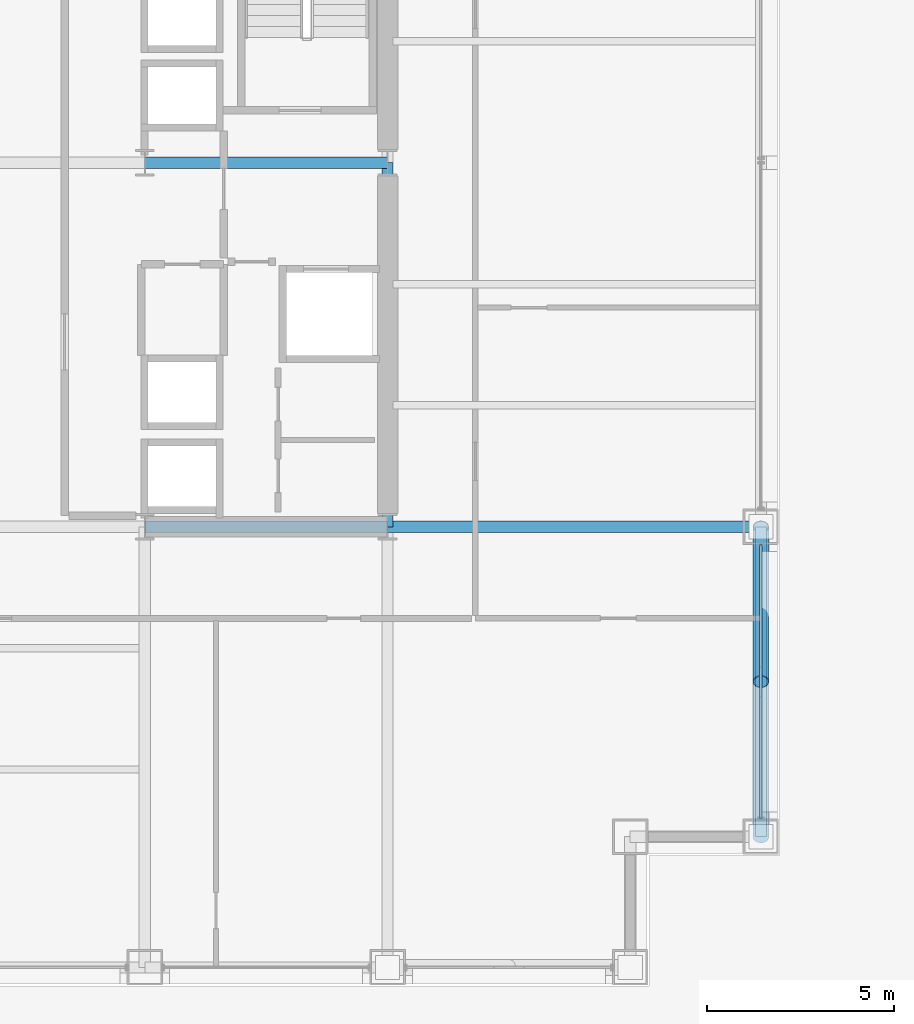
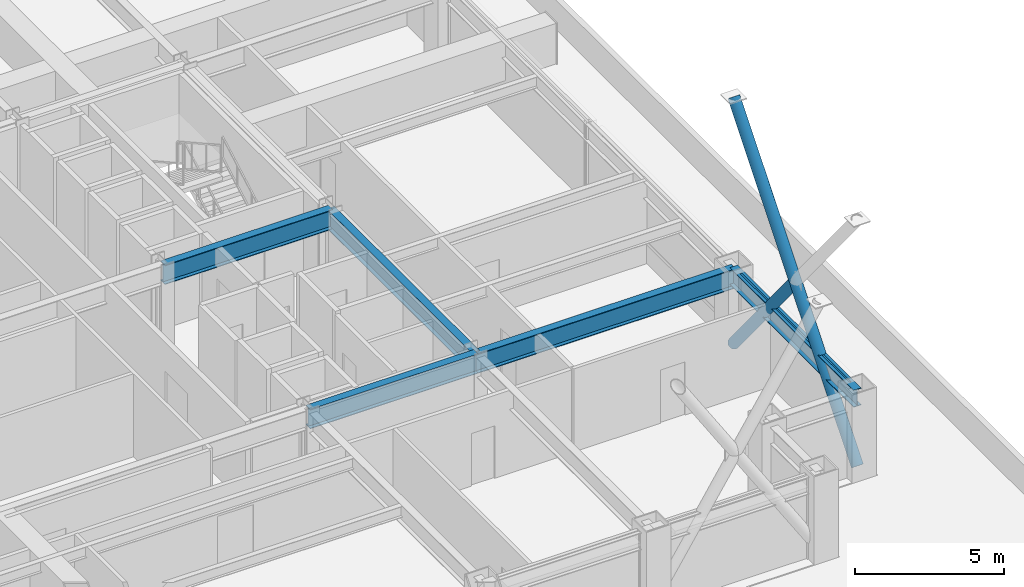
# One storey, part 13 of 33: 5 beams, 3 members, 1 element without a shape of its own.
"""IFC4 building model written with IfcOpenShell, lengths in metres."""

import ifcopenshell
import ifcopenshell.guid

model = None  # the IFC model being written
_history = None  # IfcOwnerHistory: only IFC2X3 demands one
_inside = {}  # id of a spatial element -> (the spatial element, [elements in it])
_under = {}  # id of a project, library or spatial element -> (it, [spatial elements below it])
_declared = {}  # id of a project -> (the project, [libraries it declares])
_typed = {}  # id of a type object -> (the type object, [elements of that type])
_made_of = {}  # id of a material, layer set ... -> (it, [elements and type objects made of it])


def new_model(schema):
    """Start an empty IFC model of exactly this schema.

    Asked for "IFC4X3", IfcOpenShell would pick the latest addendum, in which some entities
    have other attributes; the version numbers below select the first issue.
    IFC2X3 requires an IfcOwnerHistory on every rooted entity: one is made here for all.
    """
    global model, _history
    if schema == "IFC4X3":
        model = ifcopenshell.file(schema_version=(4, 3, 0, 0))
    else:
        model = ifcopenshell.file(schema=schema)
    _inside.clear()
    _under.clear()
    _declared.clear()
    _typed.clear()
    _made_of.clear()
    _history = None
    if model.schema == "IFC2X3":
        org = make("IfcOrganization", Name="unknown")
        user = make(
            "IfcPersonAndOrganization",
            ThePerson=make("IfcPerson", FamilyName="unknown"),
            TheOrganization=org,
        )
        app = make(
            "IfcApplication",
            ApplicationDeveloper=org,
            Version="unknown",
            ApplicationFullName="unknown",
            ApplicationIdentifier="unknown",
        )
        _history = make(
            "IfcOwnerHistory",
            OwningUser=user,
            OwningApplication=app,
            ChangeAction="ADDED",
            CreationDate=0,
        )
    return model


def make(cls, **values):
    """One entity of the class cls with the attributes given. An attribute that is None is left unset."""
    return model.create_entity(
        cls, **{name: value for name, value in values.items() if value is not None}
    )


def rooted(cls, **values):
    """An entity with a GlobalId (a new one), such as an element, a storey or a relation."""
    return make(cls, GlobalId=ifcopenshell.guid.new(), OwnerHistory=_history, **values)


def si_unit(unit_type, name, prefix=None):
    """IfcSIUnit, for example si_unit("LENGTHUNIT", "METRE", prefix="MILLI")."""
    return make("IfcSIUnit", UnitType=unit_type, Prefix=prefix, Name=name)


def assignment(units):
    """IfcUnitAssignment: the units of a project."""
    return None if units is None else make("IfcUnitAssignment", Units=units)


def point(xyz):
    """IfcCartesianPoint."""
    return None if xyz is None else make("IfcCartesianPoint", Coordinates=xyz)


def direction(xyz):
    """IfcDirection."""
    return None if xyz is None else make("IfcDirection", DirectionRatios=xyz)


def frame(location, z_axis=None, x_axis=None):
    """IfcAxis2Placement3D, a coordinate frame: its origin and axes. An axis left out is left unset."""
    return make(
        "IfcAxis2Placement3D",
        Location=point(location),
        Axis=direction(z_axis),
        RefDirection=direction(x_axis),
    )


def frame_2d(location, x_axis=None):
    """IfcAxis2Placement2D, a coordinate frame in the plane: its origin and x axis."""
    return make(
        "IfcAxis2Placement2D", Location=point(location), RefDirection=direction(x_axis)
    )


def origin():
    """The frame at (0, 0, 0) with its axes left unset."""
    return frame((0.0, 0.0, 0.0))


def origin_2d():
    """The frame at (0, 0) in the plane with its x axis left unset."""
    return frame_2d((0.0, 0.0))


def place(relative_to, where):
    """IfcLocalPlacement: puts the frame where relative to a parent placement (None: the world)."""
    return make(
        "IfcLocalPlacement", PlacementRelTo=relative_to, RelativePlacement=where
    )


def context(
    kind, dimensions, precision=None, world=None, true_north=None, identifier=None
):
    """IfcGeometricRepresentationContext, for example the 3D "Model" context."""
    return make(
        "IfcGeometricRepresentationContext",
        ContextIdentifier=identifier,
        ContextType=kind,
        CoordinateSpaceDimension=dimensions,
        Precision=precision,
        WorldCoordinateSystem=world,
        TrueNorth=true_north,
    )


def subcontext(parent, identifier, kind, view, scale=None):
    """IfcGeometricRepresentationSubContext, for example "Body" below "Model"."""
    return make(
        "IfcGeometricRepresentationSubContext",
        ContextIdentifier=identifier,
        ContextType=kind,
        ParentContext=parent,
        TargetScale=scale,
        TargetView=view,
    )


def project(units=None, contexts=None):
    """IfcProject with its units and contexts."""
    return rooted(
        "IfcProject",
        Name="project",
        RepresentationContexts=contexts,
        UnitsInContext=assignment(units),
    )


def spatial(cls, under=None, at=None, **own):
    """A site, building, storey or space (cls), placed at a placement, below another one or the project."""
    s = rooted(cls, ObjectPlacement=at, **own)
    if under is not None:
        _under.setdefault(under.id(), (under, []))[1].append(s)
    return s


def profile(cls, at=None, kind="AREA", **sizes):
    """A parametric profile (cls). Its sizes go by their IFC names, for example OverallWidth=200.0."""
    return make(cls, ProfileType=kind, Position=at, **sizes)


def hollow_rectangle(**sizes):
    """IfcRectangleHollowProfileDef."""
    return profile("IfcRectangleHollowProfileDef", **sizes)


def hollow_circle(**sizes):
    """IfcCircleHollowProfileDef."""
    return profile("IfcCircleHollowProfileDef", **sizes)


def i_section(**sizes):
    """IfcIShapeProfileDef."""
    return profile("IfcIShapeProfileDef", **sizes)


def extrude(swept, where, along, depth):
    """IfcExtrudedAreaSolid: the profile swept, set in the frame where, extruded along a direction by depth."""
    return make(
        "IfcExtrudedAreaSolid",
        SweptArea=swept,
        Position=where,
        ExtrudedDirection=direction(along),
        Depth=depth,
    )


def shape(context_of_items, identifier, shape_type, items):
    """IfcShapeRepresentation: the items that make up one representation, for example the "Body"."""
    return make(
        "IfcShapeRepresentation",
        ContextOfItems=context_of_items,
        RepresentationIdentifier=identifier,
        RepresentationType=shape_type,
        Items=items,
    )


def material(Name=None, Category=None):
    """IfcMaterial."""
    return make("IfcMaterial", Name=Name, Category=Category)


def layer(
    of_material, thickness, ventilated=None, Name=None, Category=None, Priority=None
):
    """IfcMaterialLayer: one layer of a wall or slab, of a material (None: an air gap)."""
    return make(
        "IfcMaterialLayer",
        Material=of_material,
        LayerThickness=thickness,
        IsVentilated=ventilated,
        Name=Name,
        Category=Category,
        Priority=Priority,
    )


def layer_set(layers, Name=None):
    """IfcMaterialLayerSet."""
    return make("IfcMaterialLayerSet", MaterialLayers=layers, LayerSetName=Name)


def material_profile(
    of_material, cross_section, Name=None, Category=None, Priority=None
):
    """IfcMaterialProfile: a cross section and its material."""
    return make(
        "IfcMaterialProfile",
        Name=Name,
        Material=of_material,
        Profile=cross_section,
        Priority=Priority,
        Category=Category,
    )


def profile_set(profiles, Name=None, composite=None):
    """IfcMaterialProfileSet."""
    return make(
        "IfcMaterialProfileSet",
        Name=Name,
        MaterialProfiles=profiles,
        CompositeProfile=composite,
    )


def made_of(thing, what):
    """Note that an element or type object is made of a material, layer set ...; save() writes the relation."""
    if what is not None:
        _made_of.setdefault(what.id(), (what, []))[1].append(thing)
    return thing


def type_object(cls, material=None, **own):
    """A type object (cls), such as IfcWallType, which elements share."""
    return made_of(rooted(cls, **own), material)


def element(
    cls,
    number,
    at=None,
    inside=None,
    cuts=None,
    type_object=None,
    material=None,
    context=None,
    identifier="Body",
    shape_type=None,
    held_by="IfcProductDefinitionShape",
    body=None,
    shapes=None,
    **own,
):
    """One element of the class cls, such as IfcWall. Its Tag is "e" and its number.

    at: its placement. inside: the storey or other place that contains it. cuts: it is an
    opening in that element (IfcRelVoidsElement). A single representation is given by context,
    identifier, shape_type and body (its items); several are given by shapes. held_by: the class
    of the entity that holds the representations. save() writes the other relations.
    """
    e = rooted(cls, Tag="e%d" % number, ObjectPlacement=at, **own)
    if body is not None:
        shapes = [shape(context, identifier, shape_type, body)]
    if shapes is not None:
        e.Representation = make(held_by, Representations=shapes)
    if inside is not None:
        _inside.setdefault(inside.id(), (inside, []))[1].append(e)
    if cuts is not None:
        rooted(
            "IfcRelVoidsElement", RelatingBuildingElement=cuts, RelatedOpeningElement=e
        )
    if type_object is not None:
        _typed.setdefault(type_object.id(), (type_object, []))[1].append(e)
    return made_of(e, material)


def aggregate(whole, parts):
    """IfcRelAggregates: a whole, such as a stair, and the parts it consists of."""
    return rooted("IfcRelAggregates", RelatingObject=whole, RelatedObjects=parts)


def save(model, path):
    """Write the relations noted so far, then the file.

    IfcRelAggregates (storeys below a building ...), IfcRelContainedInSpatialStructure (elements
    in a storey), IfcRelDefinesByType, IfcRelAssociatesMaterial and IfcRelDeclares: one each for
    every whole, place, type object, material and project.
    """
    for whole, parts in _under.values():
        aggregate(whole, parts)
    for where, things in _inside.values():
        rooted(
            "IfcRelContainedInSpatialStructure",
            RelatedElements=things,
            RelatingStructure=where,
        )
    for kind, things in _typed.values():
        rooted("IfcRelDefinesByType", RelatedObjects=things, RelatingType=kind)
    for what, things in _made_of.values():
        rooted("IfcRelAssociatesMaterial", RelatedObjects=things, RelatingMaterial=what)
    for by, libraries in _declared.values():
        rooted("IfcRelDeclares", RelatingContext=by, RelatedDefinitions=libraries)
    model.write(path)


model = new_model("IFC4")

# Units and contexts
model_context = context("Model", 3, precision=1e-05, world=origin(), true_north=direction((0.0, 1.0)))
body_context = subcontext(model_context, "Body", "Model", "MODEL_VIEW")
ifc_project = project(units=[si_unit("LENGTHUNIT", "METRE"), si_unit("AREAUNIT", "SQUARE_METRE"), si_unit("VOLUMEUNIT", "CUBIC_METRE"), si_unit("PLANEANGLEUNIT", "RADIAN"), si_unit("MASSUNIT", "GRAM", prefix="KILO")], contexts=[model_context])

# Site, building, storey
site_placement = place(None, origin())
site = spatial("IfcSite", under=ifc_project, at=site_placement, CompositionType="ELEMENT")
building_placement = place(site_placement, origin())
building = spatial("IfcBuilding", under=site, at=building_placement, Name="Brelmoor Portico Tower", CompositionType="ELEMENT")
storey_placement = place(building_placement, frame((0.0, 0.0, 24.0)))
storey = spatial("IfcBuildingStorey", under=building, at=storey_placement, Name="L05", CompositionType="ELEMENT", Elevation=24.0)

# Beams
ifc_material_1 = material(Name="Steel Q355B", Category="steel")
ifc_material_profile_1 = material_profile(ifc_material_1, i_section(OverallWidth=0.300048828125, OverallDepth=0.800048828125, WebThickness=0.013916015625, FlangeThickness=0.02587890625, at=origin_2d()), Name="HN 800x300x14x26")
ifc_profile_set_1 = profile_set([ifc_material_profile_1], Name="Steel Q355B")
beam_type_1 = type_object("IfcBeamType", Name="BM-PG-800", PredefinedType="BEAM", material=ifc_profile_set_1)
beam_1_placement = place(storey_placement, frame((14.550048828125, -9.75, 3.0), z_axis=(0.0, 1.0, 0.0), x_axis=(-1.0, 0.0, 0.0)))
element("IfcBeam", 1, at=beam_1_placement, inside=storey, type_object=beam_type_1, Name="L05 Primary Floor Girder PG-12", PredefinedType="BEAM", context=body_context, shape_type="SweptSolid", body=[
    extrude(i_section(OverallWidth=0.300048828125, OverallDepth=0.800048828125, WebThickness=0.013916015625, FlangeThickness=0.02587890625, at=origin_2d()), origin(), (0.0, 0.0, 1.0), 9.75),
])
beam_2_placement = place(storey_placement, frame((8.050048828125, -9.75, 3.0), z_axis=(1.0, 0.0, 0.0), x_axis=(0.0, 1.0, 0.0)))
element("IfcBeam", 2, at=beam_2_placement, inside=storey, type_object=beam_type_1, Name="L05 Primary Floor Girder PG-22", PredefinedType="BEAM", context=body_context, shape_type="SweptSolid", body=[
    extrude(i_section(OverallWidth=0.300048828125, OverallDepth=0.800048828125, WebThickness=0.013916015625, FlangeThickness=0.02587890625, at=origin_2d()), origin(), (0.0, 0.0, 1.0), 6.5),
])
beam_3_placement = place(storey_placement, frame((14.550048828125, -9.75, 3.0), z_axis=(1.0, 0.0, 0.0), x_axis=(0.0, 1.0, 0.0)))
element("IfcBeam", 3, at=beam_3_placement, inside=storey, type_object=beam_type_1, Name="L05 Primary Floor Girder PG-23", PredefinedType="BEAM", context=body_context, shape_type="SweptSolid", body=[
    extrude(i_section(OverallWidth=0.300048828125, OverallDepth=0.800048828125, WebThickness=0.013916015625, FlangeThickness=0.02587890625, at=origin_2d()), origin(), (0.0, 0.0, 1.0), 10.0),
])
beam_4_placement = place(storey_placement, frame((8.050048828125, 0.0, 3.0), z_axis=(1.0, 0.0, 0.0), x_axis=(0.0, 1.0, 0.0)))
element("IfcBeam", 4, at=beam_4_placement, inside=storey, type_object=beam_type_1, Name="L05 Primary Floor Girder PG-26", PredefinedType="BEAM", context=body_context, shape_type="SweptSolid", body=[
    extrude(i_section(OverallWidth=0.300048828125, OverallDepth=0.800048828125, WebThickness=0.013916015625, FlangeThickness=0.02587890625, at=origin_2d()), origin(), (0.0, 0.0, 1.0), 6.5),
])
ifc_material_profile_2 = material_profile(ifc_material_1, i_section(OverallWidth=0.300048828125, OverallDepth=0.699951171875, WebThickness=0.012939453125, FlangeThickness=0.02392578125, at=origin_2d()), Name="HN 700x300x13x24")
ifc_profile_set_2 = profile_set([ifc_material_profile_2], Name="Steel Q355B")
beam_type_2 = type_object("IfcBeamType", Name="BM-SP-700", PredefinedType="SPANDREL", material=ifc_profile_set_2)
beam_5_placement = place(storey_placement, frame((24.550048828125, -18.050048828125, 3.050048828125), z_axis=(0.0, 1.0, 0.0), x_axis=(-1.0, 0.0, 0.0)))
element("IfcBeam", 5, at=beam_5_placement, inside=storey, type_object=beam_type_2, Name="L05 Perimeter Spandrel Beam SP-22", PredefinedType="SPANDREL", context=body_context, shape_type="SweptSolid", body=[
    extrude(i_section(OverallWidth=0.300048828125, OverallDepth=0.699951171875, WebThickness=0.012939453125, FlangeThickness=0.02392578125, at=origin_2d()), origin(), (0.0, 0.0, 1.0), 8.300048828125),
])

# Members
ifc_material_profile_3 = material_profile(ifc_material_1, hollow_circle(Radius=0.212890625, WallThickness=0.02001953125, at=origin_2d()), Name="CHS 426x20")
ifc_profile_set_3 = profile_set([ifc_material_profile_3], Name="Steel Q355B")
member_type_1 = type_object("IfcMemberType", Name="MB-BELT-DIAG1", PredefinedType="BRACE", material=ifc_profile_set_3)
member_1_placement = place(storey_placement, frame((24.550048828125, -18.050048828125, 0.25), z_axis=(0.0, 0.634901100083, 0.772593420315), x_axis=(-1.0, 0.0, 0.0)))
element("IfcMember", 6, at=member_1_placement, inside=storey, type_object=member_type_1, Name="L05 Continuous Mega-X Brace 008A", PredefinedType="BRACE", context=body_context, shape_type="SweptSolid", body=[
    extrude(hollow_circle(Radius=0.212890625, WallThickness=0.02001953125, at=origin_2d()), origin(), (0.0, 0.0, 1.0), 13.072998046875),
])
member_2_placement = place(storey_placement, frame((24.550048828125, -9.75, 0.25), z_axis=(0.0, -0.634889952641, 0.772602580914), x_axis=(1.0, 0.0, 0.0)))
element("IfcMember", 7, at=member_2_placement, inside=storey, type_object=member_type_1, Name="L05 Split Mega-X Brace 008B1", PredefinedType="BRACE", context=body_context, shape_type="SweptSolid", body=[
    extrude(hollow_circle(Radius=0.212890625, WallThickness=0.02001953125, at=origin_2d()), origin(), (0.0, 0.0, 1.0), 6.536376953125),
])

# Curtain wall, member
ifc_material_2 = material(Name="Anodised Aluminium Alloy 6063-T6", Category="aluminium")
ifc_layer = layer(ifc_material_2, 0.179931640625)
ifc_layer_set = layer_set([ifc_layer], Name="Anodised Aluminium Alloy 6063-T6")
curtain_wall_type = type_object("IfcCurtainWallType", Name="CW-TOWER-Z1-XB", PredefinedType="NOTDEFINED", material=ifc_layer_set)
curtain_wall_placement = place(storey_placement, origin())
curtain_wall = element("IfcCurtainWall", 8, at=curtain_wall_placement, inside=storey, type_object=curtain_wall_type, Name="L05 Curtain Wall CW-L05-04-1", PredefinedType="NOTDEFINED")
ifc_material_profile_4 = material_profile(ifc_material_2, hollow_rectangle(XDim=0.06494140625, YDim=0.139892578125, WallThickness=0.00390625, at=origin_2d()), Name="ALU TRANSOM 65x140")
ifc_profile_set_4 = profile_set([ifc_material_profile_4], Name="Anodised Aluminium Alloy 6063-T6")
member_type_2 = type_object("IfcMemberType", Name="MB-CW-TRAN-140", PredefinedType="USERDEFINED", material=ifc_profile_set_4)
member_3_placement = place(storey_placement, frame((24.550048828125, -17.56494140625, 3.330078125), z_axis=(0.0, 1.0, 0.0), x_axis=(-1.0, 0.0, 0.0)))
member_3 = element("IfcMember", 9, at=member_3_placement, type_object=member_type_2, Name="CW-L05-04-1 Transom 1-00", ObjectType="TRANSOM", PredefinedType="USERDEFINED", context=body_context, shape_type="SweptSolid", body=[
    extrude(hollow_rectangle(XDim=0.06494140625, YDim=0.139892578125, WallThickness=0.00390625, at=origin_2d()), origin(), (0.0, 0.0, 1.0), 7.329833984375),
])
aggregate(curtain_wall, [member_3])

save(model, "model.ifc")
